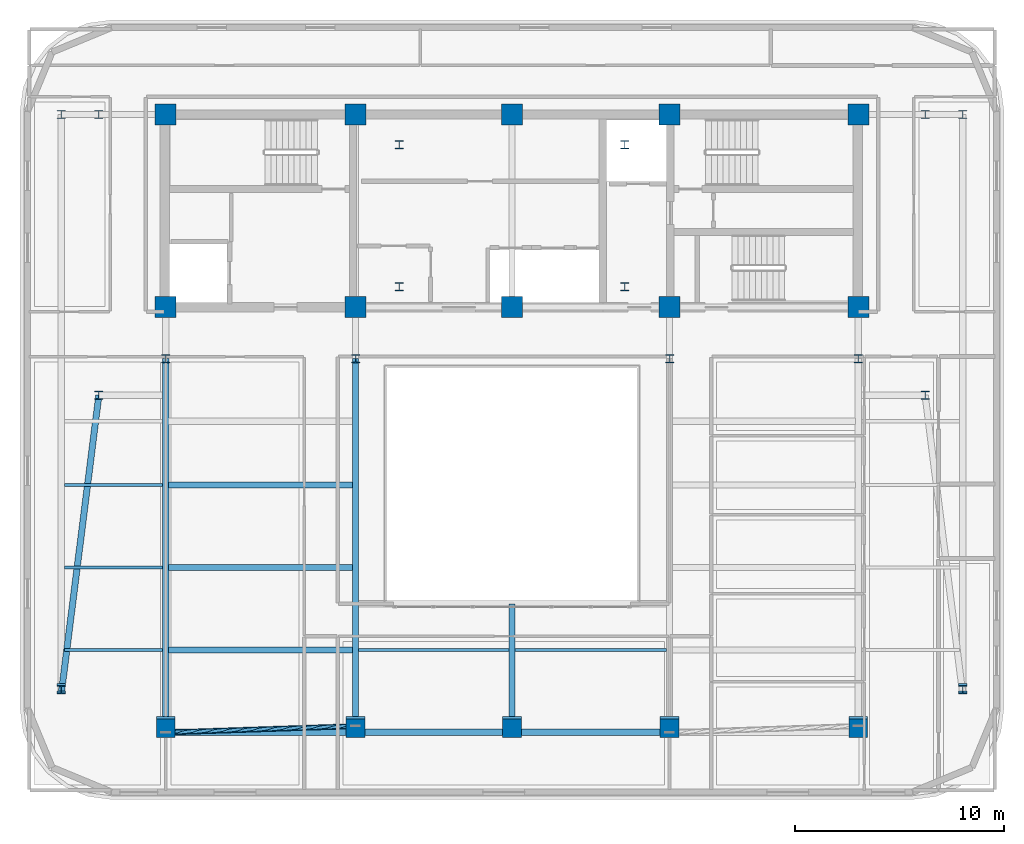
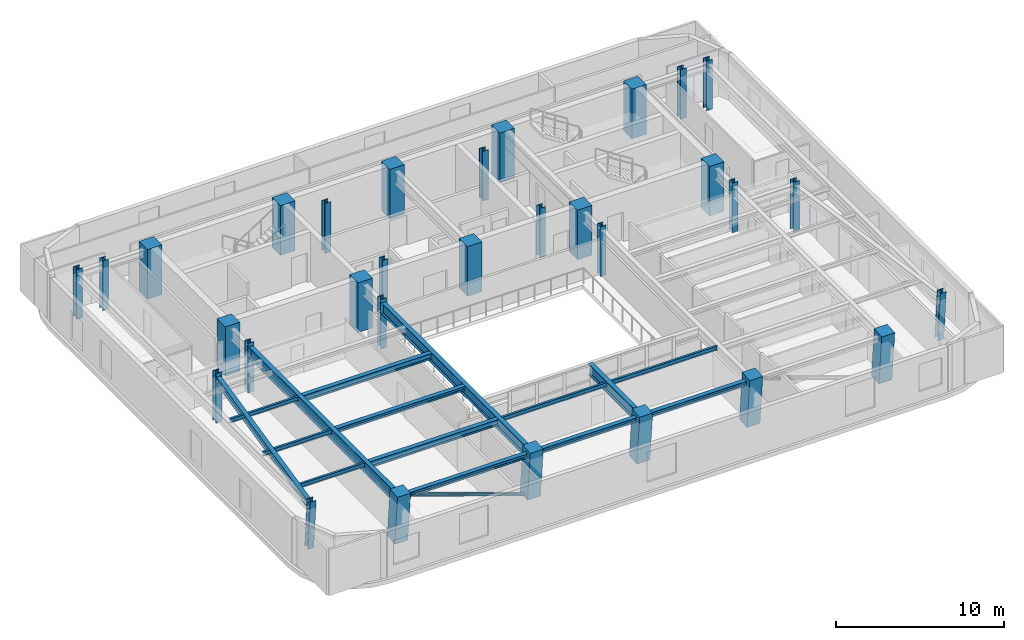
# One storey, part 1 of 13: 31 columns, 15 beams, 1 member.
"""IFC4 building model written with IfcOpenShell, lengths in metres."""

from ifc_helpers import new_model, si_unit, direction, frame, origin, origin_2d, place, context, subcontext, project, spatial, rectangle, hollow_circle, i_section, extrude, material, material_profile, profile_set, type_object, element, save


model = new_model("IFC4")

# Units and contexts
model_context = context("Model", 3, precision=1e-05, world=origin(), true_north=direction((0.0, 1.0)))
body_context = subcontext(model_context, "Body", "Model", "MODEL_VIEW")
ifc_project = project(units=[si_unit("LENGTHUNIT", "METRE"), si_unit("AREAUNIT", "SQUARE_METRE"), si_unit("VOLUMEUNIT", "CUBIC_METRE"), si_unit("PLANEANGLEUNIT", "RADIAN"), si_unit("MASSUNIT", "GRAM", prefix="KILO")], contexts=[model_context])

# Site, building, storey
site_placement = place(None, origin())
site = spatial("IfcSite", under=ifc_project, at=site_placement, CompositionType="ELEMENT")
building_placement = place(site_placement, origin())
building = spatial("IfcBuilding", under=site, at=building_placement, Name="Zarnavel Station Tower", CompositionType="ELEMENT")
storey_placement = place(building_placement, frame((0.0, 0.0, 204.0)))
storey = spatial("IfcBuildingStorey", under=building, at=storey_placement, Name="L55", CompositionType="ELEMENT", Elevation=204.0)

# Columns
ifc_material_1 = material(Name="Steel S355J2", Category="steel")
ifc_material_profile_1 = material_profile(ifc_material_1, i_section(OverallWidth=0.407958984375, OverallDepth=0.39990234375, WebThickness=0.02490234375, FlangeThickness=0.0390625, FilletRadius=0.014892578125, at=origin_2d()), Name="HD400x287")
ifc_profile_set_1 = profile_set([ifc_material_profile_1], Name="Steel S355J2")
column_type_1 = type_object("IfcColumnType", Name="EC_HD287", PredefinedType="COLUMN", material=ifc_profile_set_1)
column_1_placement = place(storey_placement, frame((7.199951171875, 9.573974609375, 0.0), z_axis=(0.0, -0.079901051777, 0.996802799918), x_axis=(1.0, 0.0, 0.0)))
element("IfcColumn", 1, at=column_1_placement, inside=storey, type_object=column_type_1, Name="L55 Raked Wing Column 1", PredefinedType="COLUMN", context=body_context, shape_type="SweptSolid", body=[
    extrude(i_section(OverallWidth=0.407958984375, OverallDepth=0.39990234375, WebThickness=0.02490234375, FlangeThickness=0.0390625, FilletRadius=0.014892578125, at=origin_2d()), origin(), (0.0, 0.0, 1.0), 3.611572265625),
])
column_2_placement = place(storey_placement, frame((7.199951171875, 37.050048828125, 0.0), z_axis=(0.0, 0.0, 1.0), x_axis=(1.0, 0.0, 0.0)))
element("IfcColumn", 2, at=column_2_placement, inside=storey, type_object=column_type_1, Name="L55 Outer Wing North Column 1", PredefinedType="COLUMN", context=body_context, shape_type="SweptSolid", body=[
    extrude(i_section(OverallWidth=0.407958984375, OverallDepth=0.39990234375, WebThickness=0.02490234375, FlangeThickness=0.0390625, FilletRadius=0.014892578125, at=origin_2d()), origin(), (0.0, 0.0, 1.0), 3.60009765625),
])
column_3_placement = place(storey_placement, frame((50.39990234375, 9.573974609375, 0.0), z_axis=(0.0, -0.079901051777, 0.996802799918), x_axis=(1.0, 0.0, 0.0)))
element("IfcColumn", 3, at=column_3_placement, inside=storey, type_object=column_type_1, Name="L55 Raked Wing Column 2", PredefinedType="COLUMN", context=body_context, shape_type="SweptSolid", body=[
    extrude(i_section(OverallWidth=0.407958984375, OverallDepth=0.39990234375, WebThickness=0.02490234375, FlangeThickness=0.0390625, FilletRadius=0.014892578125, at=origin_2d()), origin(), (0.0, 0.0, 1.0), 3.611572265625),
])
column_4_placement = place(storey_placement, frame((50.39990234375, 37.050048828125, 0.0), z_axis=(0.0, 0.0, 1.0), x_axis=(1.0, 0.0, 0.0)))
element("IfcColumn", 4, at=column_4_placement, inside=storey, type_object=column_type_1, Name="L55 Outer Wing North Column 2", PredefinedType="COLUMN", context=body_context, shape_type="SweptSolid", body=[
    extrude(i_section(OverallWidth=0.407958984375, OverallDepth=0.39990234375, WebThickness=0.02490234375, FlangeThickness=0.0390625, FilletRadius=0.014892578125, at=origin_2d()), origin(), (0.0, 0.0, 1.0), 3.60009765625),
])
ifc_material_2 = material(Name="Steel S355J2", Category="steel")
ifc_material_profile_2 = material_profile(ifc_material_2, i_section(OverallWidth=0.407958984375, OverallDepth=0.39990234375, WebThickness=0.02490234375, FlangeThickness=0.0390625, FilletRadius=0.014892578125, at=origin_2d()), Name="HD400x287")
ifc_profile_set_2 = profile_set([ifc_material_profile_2], Name="Steel S355J2")
column_type_2 = type_object("IfcColumnType", Name="IC_HD287", PredefinedType="COLUMN", material=ifc_profile_set_2)
for number, where, z_axis, x_axis, name in (
    (5, (23.39990234375, 28.800048828125, 0.0), (0.0, 0.0, 1.0), (1.0, 0.0, 0.0), "L55 Mast Spine Column 1"),
    (6, (34.199951171875, 28.800048828125, 0.0), (0.0, 0.0, 1.0), (1.0, 0.0, 0.0), "L55 Mast Spine Column 2"),
    (7, (34.199951171875, 35.60009765625, 0.0), (0.0, 0.0, 1.0), (1.0, 0.0, 0.0), "L55 Mast Spine Column 3"),
    (8, (23.39990234375, 35.60009765625, 0.0), (0.0, 0.0, 1.0), (1.0, 0.0, 0.0), "L55 Mast Spine Column 4"),
    (9, (12.199951171875, 25.35009765625, 0.0), (0.0, 0.0, 1.0), (1.0, 0.0, 0.0), "L55 Inner Spine Column 1"),
    (10, (21.300048828125, 25.35009765625, 0.0), (0.0, 0.0, 1.0), (1.0, 0.0, 0.0), "L55 Inner Spine Column 2"),
    (11, (36.35009765625, 25.35009765625, 0.0), (0.0, 0.0, 1.0), (1.0, 0.0, 0.0), "L55 Inner Spine Column 4"),
    (12, (45.39990234375, 25.35009765625, 0.0), (0.0, 0.0, 1.0), (1.0, 0.0, 0.0), "L55 Inner Spine Column 5"),
    (13, (9.0, 23.60009765625, 0.0), (0.0, 0.0, 1.0), (1.0, 0.0, 0.0), "L55 Inner Wing Spine Column 1-1"),
    (14, (9.0, 37.050048828125, 0.0), (0.0, 0.0, 1.0), (1.0, 0.0, 0.0), "L55 Inner Wing Spine Column 1-2"),
    (15, (48.60009765625, 23.60009765625, 0.0), (0.0, 0.0, 1.0), (1.0, 0.0, 0.0), "L55 Inner Wing Spine Column 2-1"),
    (16, (48.60009765625, 37.050048828125, 0.0), (0.0, 0.0, 1.0), (1.0, 0.0, 0.0), "L55 Inner Wing Spine Column 2-2"),
):
    element("IfcColumn", number, at=place(storey_placement, frame(where, z_axis=z_axis, x_axis=x_axis)), inside=storey, type_object=column_type_2, Name=name, PredefinedType="COLUMN", context=body_context, shape_type="SweptSolid", body=[
        extrude(i_section(OverallWidth=0.407958984375, OverallDepth=0.39990234375, WebThickness=0.02490234375, FlangeThickness=0.0390625, FilletRadius=0.014892578125, at=origin_2d()), origin(), (0.0, 0.0, 1.0), 3.60009765625),
    ])
ifc_material_3 = material(Name="Concrete C50/60", Category="concrete")
ifc_material_profile_3 = material_profile(ifc_material_3, rectangle(XDim=1.0, YDim=1.0, at=origin_2d()), Name="RC1000x1000")
ifc_profile_set_3 = profile_set([ifc_material_profile_3], Name="Concrete C50/60")
column_type_3 = type_object("IfcColumnType", Name="IC_RC1000", PredefinedType="COLUMN", material=ifc_profile_set_3)
for number, where, z_axis, x_axis, name in (
    (17, (12.199951171875, 27.820068359375, 0.0), (0.0, 0.0, 1.0), (1.0, 0.0, 0.0), "L55 Core Spine Column 1-1"),
    (18, (12.199951171875, 37.050048828125, 0.0), (0.0, 0.0, 1.0), (1.0, 0.0, 0.0), "L55 Core Spine Column 1-2"),
    (19, (21.300048828125, 27.820068359375, 0.0), (0.0, 0.0, 1.0), (1.0, 0.0, 0.0), "L55 Core Spine Column 2-1"),
    (20, (21.300048828125, 37.050048828125, 0.0), (0.0, 0.0, 1.0), (1.0, 0.0, 0.0), "L55 Core Spine Column 2-2"),
    (21, (28.800048828125, 27.820068359375, 0.0), (0.0, 0.0, 1.0), (1.0, 0.0, 0.0), "L55 Core Spine Column 3-1"),
    (22, (28.800048828125, 37.050048828125, 0.0), (0.0, 0.0, 1.0), (1.0, 0.0, 0.0), "L55 Core Spine Column 3-2"),
    (23, (36.35009765625, 27.820068359375, 0.0), (0.0, 0.0, 1.0), (1.0, 0.0, 0.0), "L55 Core Spine Column 4-1"),
    (24, (36.35009765625, 37.050048828125, 0.0), (0.0, 0.0, 1.0), (1.0, 0.0, 0.0), "L55 Core Spine Column 4-2"),
    (25, (45.39990234375, 27.820068359375, 0.0), (0.0, 0.0, 1.0), (1.0, 0.0, 0.0), "L55 Core Spine Column 5-1"),
    (26, (45.39990234375, 37.050048828125, 0.0), (0.0, 0.0, 1.0), (1.0, 0.0, 0.0), "L55 Core Spine Column 5-2"),
):
    element("IfcColumn", number, at=place(storey_placement, frame(where, z_axis=z_axis, x_axis=x_axis)), inside=storey, type_object=column_type_3, Name=name, PredefinedType="COLUMN", context=body_context, shape_type="SweptSolid", body=[
        extrude(rectangle(XDim=1.0, YDim=1.0, at=origin_2d()), origin(), (0.0, 0.0, 1.0), 3.60009765625),
    ])
ifc_material_4 = material(Name="Concrete C50/60", Category="concrete")
ifc_material_profile_4 = material_profile(ifc_material_4, rectangle(XDim=0.89990234375, YDim=0.89990234375, at=origin_2d()), Name="RC900x900")
ifc_profile_set_4 = profile_set([ifc_material_profile_4], Name="Concrete C50/60")
column_type_4 = type_object("IfcColumnType", Name="MC_RC900", PredefinedType="COLUMN", material=ifc_profile_set_4)
for number, where, z_axis, x_axis, name in (
    (27, (12.199951171875, 7.741455078125, 0.0), (0.0, -0.090231265542, 0.995920839584), (1.0, 0.0, 0.0), "L55 Raked South Mega-Column 1"),
    (28, (21.300048828125, 7.741455078125, 0.0), (0.0, -0.090231265542, 0.995920839584), (1.0, 0.0, 0.0), "L55 Raked South Mega-Column 2"),
    (29, (28.800048828125, 7.741455078125, 0.0), (0.0, -0.090231265542, 0.995920839584), (1.0, 0.0, 0.0), "L55 Raked South Mega-Column 3"),
    (30, (36.35009765625, 7.741455078125, 0.0), (0.0, -0.090231265542, 0.995920839584), (1.0, 0.0, 0.0), "L55 Raked South Mega-Column 4"),
    (31, (45.39990234375, 7.741455078125, 0.0), (0.0, -0.090231265542, 0.995920839584), (1.0, 0.0, 0.0), "L55 Raked South Mega-Column 5"),
):
    element("IfcColumn", number, at=place(storey_placement, frame(where, z_axis=z_axis, x_axis=x_axis)), inside=storey, type_object=column_type_4, Name=name, PredefinedType="COLUMN", context=body_context, shape_type="SweptSolid", body=[
        extrude(rectangle(XDim=0.89990234375, YDim=0.89990234375, at=origin_2d()), origin(), (0.0, 0.0, 1.0), 3.61474609375),
    ])

# Member
ifc_material_5 = material(Name="Steel S355J2", Category="steel")
ifc_material_profile_5 = material_profile(ifc_material_5, hollow_circle(Radius=0.122314453125, WallThickness=0.010009765625, at=origin_2d()), Name="CHS244.5x10")
ifc_profile_set_5 = profile_set([ifc_material_profile_5], Name="Steel S355J2")
member_type = type_object("IfcMemberType", Name="DB_EXT_CHS245", PredefinedType="BRACE", material=ifc_profile_set_5)
member_placement = place(storey_placement, frame((21.300048828125, 7.741455078125, 0.0), z_axis=(-0.938305928034, -0.03121477037, 0.344394575346), x_axis=(0.033248763554, -0.999447107016, 0.0)))
element("IfcMember", 32, at=member_placement, inside=storey, type_object=member_type, Name="L55 Persian Exterior Diagonal Frame Brace 1", PredefinedType="BRACE", context=body_context, shape_type="SweptSolid", body=[
    extrude(hollow_circle(Radius=0.122314453125, WallThickness=0.010009765625, at=origin_2d()), origin(), (0.0, 0.0, 1.0), 9.698486328125),
])

# Beams
ifc_material_6 = material(Name="Steel S355J2", Category="steel")
ifc_material_profile_6 = material_profile(ifc_material_6, i_section(OverallWidth=0.300048828125, OverallDepth=0.320068359375, WebThickness=0.011474609375, FlangeThickness=0.0205078125, FilletRadius=0.027099609375, at=origin_2d()), Name="HEB320")
ifc_profile_set_6 = profile_set([ifc_material_profile_6], Name="Steel S355J2")
beam_type_1 = type_object("IfcBeamType", Name="EB_HEB320", PredefinedType="SPANDREL", material=ifc_profile_set_6)
beam_1_placement = place(storey_placement, frame((12.199951171875, 7.438720703125, 3.179931640625), z_axis=(1.0, 0.0, 0.0), x_axis=(0.0, 1.0, 0.0)))
element("IfcBeam", 33, at=beam_1_placement, inside=storey, type_object=beam_type_1, Name="L55 South Raked Spandrel 1", PredefinedType="SPANDREL", context=body_context, shape_type="SweptSolid", body=[
    extrude(i_section(OverallWidth=0.300048828125, OverallDepth=0.320068359375, WebThickness=0.011474609375, FlangeThickness=0.0205078125, FilletRadius=0.027099609375, at=origin_2d()), origin(), (0.0, 0.0, 1.0), 9.10009765625),
])
beam_2_placement = place(storey_placement, frame((21.300048828125, 7.438720703125, 3.179931640625), z_axis=(1.0, 0.0, 0.0), x_axis=(0.0, 1.0, 0.0)))
element("IfcBeam", 34, at=beam_2_placement, inside=storey, type_object=beam_type_1, Name="L55 South Raked Spandrel 2", PredefinedType="SPANDREL", context=body_context, shape_type="SweptSolid", body=[
    extrude(i_section(OverallWidth=0.300048828125, OverallDepth=0.320068359375, WebThickness=0.011474609375, FlangeThickness=0.0205078125, FilletRadius=0.027099609375, at=origin_2d()), origin(), (0.0, 0.0, 1.0), 7.5),
])
beam_3_placement = place(storey_placement, frame((28.800048828125, 7.438720703125, 3.179931640625), z_axis=(1.0, 0.0, 0.0), x_axis=(0.0, 1.0, 0.0)))
element("IfcBeam", 35, at=beam_3_placement, inside=storey, type_object=beam_type_1, Name="L55 South Raked Spandrel 3", PredefinedType="SPANDREL", context=body_context, shape_type="SweptSolid", body=[
    extrude(i_section(OverallWidth=0.300048828125, OverallDepth=0.320068359375, WebThickness=0.011474609375, FlangeThickness=0.0205078125, FilletRadius=0.027099609375, at=origin_2d()), origin(), (0.0, 0.0, 1.0), 7.550048828125),
])
ifc_material_7 = material(Name="Steel S355J2", Category="steel")
ifc_material_profile_7 = material_profile(ifc_material_7, i_section(OverallWidth=0.300048828125, OverallDepth=0.31005859375, WebThickness=0.009033203125, FlangeThickness=0.015380859375, FilletRadius=0.027099609375, at=origin_2d()), Name="HEA320")
ifc_profile_set_7 = profile_set([ifc_material_profile_7], Name="Steel S355J2")
beam_type_2 = type_object("IfcBeamType", Name="FB_HEA320", PredefinedType="BEAM", material=ifc_profile_set_7)
beam_4_placement = place(storey_placement, frame((12.344970703125, 15.34326171875, 3.18505859375), z_axis=(1.0, 0.0, 0.0), x_axis=(0.0, 1.0, 0.0)))
element("IfcBeam", 36, at=beam_4_placement, inside=storey, type_object=beam_type_2, Name="L55 West Bay Beam 2", PredefinedType="BEAM", context=body_context, shape_type="SweptSolid", body=[
    extrude(i_section(OverallWidth=0.300048828125, OverallDepth=0.31005859375, WebThickness=0.009033203125, FlangeThickness=0.015380859375, FilletRadius=0.027099609375, at=origin_2d()), origin(), (0.0, 0.0, 1.0), 8.81005859375),
])
ifc_material_8 = material(Name="Steel S355J2", Category="steel")
ifc_material_profile_8 = material_profile(ifc_material_8, i_section(OverallWidth=0.300048828125, OverallDepth=0.43994140625, WebThickness=0.011474609375, FlangeThickness=0.02099609375, FilletRadius=0.027099609375, at=origin_2d()), Name="HEA450")
ifc_profile_set_8 = profile_set([ifc_material_profile_8], Name="Steel S355J2")
beam_type_3 = type_object("IfcBeamType", Name="FB_HEA450", PredefinedType="BEAM", material=ifc_profile_set_8)
for number, where, z_axis, x_axis, name in (
    (37, (12.344970703125, 11.39111328125, 3.1201171875), (1.0, 0.0, 0.0), (0.0, 1.0, 0.0), "L55 West Bay Beam 1"),
    (38, (12.344970703125, 19.29541015625, 3.1201171875), (1.0, 0.0, 0.0), (0.0, 1.0, 0.0), "L55 West Bay Beam 3"),
):
    element("IfcBeam", number, at=place(storey_placement, frame(where, z_axis=z_axis, x_axis=x_axis)), inside=storey, type_object=beam_type_3, Name=name, PredefinedType="BEAM", context=body_context, shape_type="SweptSolid", body=[
        extrude(i_section(OverallWidth=0.300048828125, OverallDepth=0.43994140625, WebThickness=0.011474609375, FlangeThickness=0.02099609375, FilletRadius=0.027099609375, at=origin_2d()), origin(), (0.0, 0.0, 1.0), 8.81005859375),
    ])
ifc_material_9 = material(Name="Steel S355J2", Category="steel")
ifc_material_profile_9 = material_profile(ifc_material_9, i_section(OverallWidth=0.300048828125, OverallDepth=0.5, WebThickness=0.014404296875, FlangeThickness=0.028076171875, FilletRadius=0.027099609375, at=origin_2d()), Name="HEB500")
ifc_profile_set_9 = profile_set([ifc_material_profile_9], Name="Steel S355J2")
beam_type_4 = type_object("IfcBeamType", Name="FG_HEB500", PredefinedType="USERDEFINED", material=ifc_profile_set_9)
beam_5_placement = place(storey_placement, frame((7.199951171875, 9.30615234375, 3.090087890625), z_axis=(0.124944039534, 0.992163790402, 0.0), x_axis=(-0.992163790402, 0.124944039534, 0.0)))
element("IfcBeam", 39, at=beam_5_placement, inside=storey, type_object=beam_type_4, Name="L55 West Wing South Tie 1", ObjectType="GIRDER", PredefinedType="USERDEFINED", context=body_context, shape_type="SweptSolid", body=[
    extrude(i_section(OverallWidth=0.300048828125, OverallDepth=0.5, WebThickness=0.014404296875, FlangeThickness=0.028076171875, FilletRadius=0.027099609375, at=origin_2d()), origin(), (0.0, 0.0, 1.0), 14.40673828125),
])
ifc_material_10 = material(Name="Steel S355J2", Category="steel")
ifc_material_profile_10 = material_profile(ifc_material_10, i_section(OverallWidth=0.300048828125, OverallDepth=0.800048828125, WebThickness=0.017578125, FlangeThickness=0.032958984375, FilletRadius=0.030029296875, at=origin_2d()), Name="HEB800")
ifc_profile_set_10 = profile_set([ifc_material_profile_10], Name="Steel S355J2")
beam_type_5 = type_object("IfcBeamType", Name="FG_HEB800", PredefinedType="USERDEFINED", material=ifc_profile_set_10)
for number, where, z_axis, x_axis, name in (
    (40, (12.199951171875, 7.438720703125, 2.93994140625), (0.0, 1.0, 0.0), (-1.0, 0.0, 0.0), "L55 South-Zone NS Girder 1"),
    (41, (21.300048828125, 7.438720703125, 2.93994140625), (0.0, 1.0, 0.0), (-1.0, 0.0, 0.0), "L55 South-Zone NS Girder 2"),
):
    element("IfcBeam", number, at=place(storey_placement, frame(where, z_axis=z_axis, x_axis=x_axis)), inside=storey, type_object=beam_type_5, Name=name, ObjectType="GIRDER", PredefinedType="USERDEFINED", context=body_context, shape_type="SweptSolid", body=[
        extrude(i_section(OverallWidth=0.300048828125, OverallDepth=0.800048828125, WebThickness=0.017578125, FlangeThickness=0.032958984375, FilletRadius=0.030029296875, at=origin_2d()), origin(), (0.0, 0.0, 1.0), 17.911376953125),
    ])
beam_6_placement = place(storey_placement, frame((28.800048828125, 7.438720703125, 2.93994140625), z_axis=(0.0, 1.0, 0.0), x_axis=(-1.0, 0.0, 0.0)))
element("IfcBeam", 42, at=beam_6_placement, inside=storey, type_object=beam_type_5, Name="L55 Central Atrium-South Girder", ObjectType="GIRDER", PredefinedType="USERDEFINED", context=body_context, shape_type="SweptSolid", body=[
    extrude(i_section(OverallWidth=0.300048828125, OverallDepth=0.800048828125, WebThickness=0.017578125, FlangeThickness=0.032958984375, FilletRadius=0.030029296875, at=origin_2d()), origin(), (0.0, 0.0, 1.0), 6.161376953125),
])
ifc_material_11 = material(Name="Steel S355J2", Category="steel")
ifc_material_profile_11 = material_profile(ifc_material_11, i_section(OverallWidth=0.14990234375, OverallDepth=0.300048828125, WebThickness=0.007080078125, FlangeThickness=0.0107421875, FilletRadius=0.014892578125, at=origin_2d()), Name="IPE300")
ifc_profile_set_11 = profile_set([ifc_material_profile_11], Name="Steel S355J2")
beam_type_6 = type_object("IfcBeamType", Name="FJ_IPE300", PredefinedType="JOIST", material=ifc_profile_set_11)
beam_7_placement = place(storey_placement, frame((21.445068359375, 11.39111328125, 3.18994140625), z_axis=(1.0, 0.0, 0.0), x_axis=(0.0, 1.0, 0.0)))
element("IfcBeam", 43, at=beam_7_placement, inside=storey, type_object=beam_type_6, Name="L55 Mid-West Joist 1", PredefinedType="JOIST", context=body_context, shape_type="SweptSolid", body=[
    extrude(i_section(OverallWidth=0.14990234375, OverallDepth=0.300048828125, WebThickness=0.007080078125, FlangeThickness=0.0107421875, FilletRadius=0.014892578125, at=origin_2d()), origin(), (0.0, 0.0, 1.0), 7.2099609375),
])
beam_8_placement = place(storey_placement, frame((28.945068359375, 11.39111328125, 3.18994140625), z_axis=(1.0, 0.0, 0.0), x_axis=(0.0, 1.0, 0.0)))
element("IfcBeam", 44, at=beam_8_placement, inside=storey, type_object=beam_type_6, Name="L55 Mid-East Joist 1", PredefinedType="JOIST", context=body_context, shape_type="SweptSolid", body=[
    extrude(i_section(OverallWidth=0.14990234375, OverallDepth=0.300048828125, WebThickness=0.007080078125, FlangeThickness=0.0107421875, FilletRadius=0.014892578125, at=origin_2d()), origin(), (0.0, 0.0, 1.0), 7.260009765625),
])
for number, where, z_axis, x_axis, name in (
    (45, (7.344970703125, 11.39111328125, 3.18994140625), (1.0, 0.0, 0.0), (0.0, 1.0, 0.0), "L55 West Wing Joist 1"),
    (46, (7.344970703125, 15.34326171875, 3.18994140625), (1.0, 0.0, 0.0), (0.0, 1.0, 0.0), "L55 West Wing Joist 2"),
    (47, (7.344970703125, 19.29541015625, 3.18994140625), (1.0, 0.0, 0.0), (0.0, 1.0, 0.0), "L55 West Wing Joist 3"),
):
    element("IfcBeam", number, at=place(storey_placement, frame(where, z_axis=z_axis, x_axis=x_axis)), inside=storey, type_object=beam_type_6, Name=name, PredefinedType="JOIST", context=body_context, shape_type="SweptSolid", body=[
        extrude(i_section(OverallWidth=0.14990234375, OverallDepth=0.300048828125, WebThickness=0.007080078125, FlangeThickness=0.0107421875, FilletRadius=0.014892578125, at=origin_2d()), origin(), (0.0, 0.0, 1.0), 4.7099609375),
    ])

save(model, "model.ifc")
